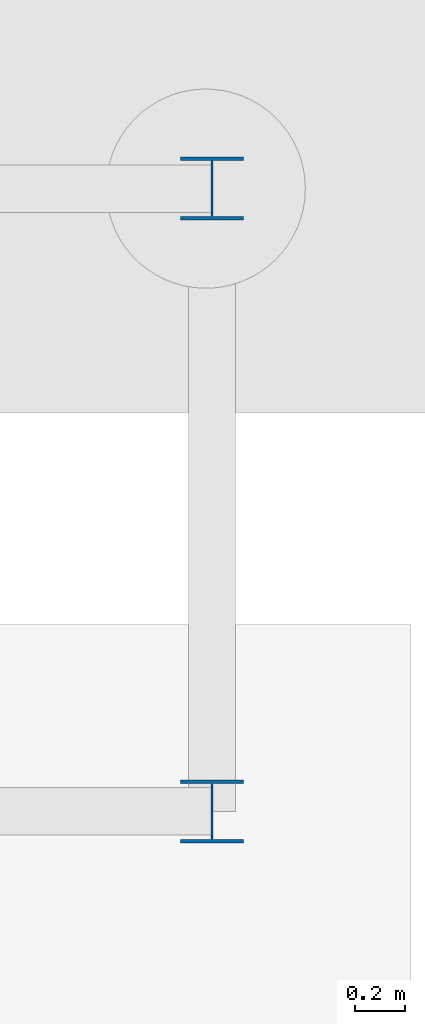
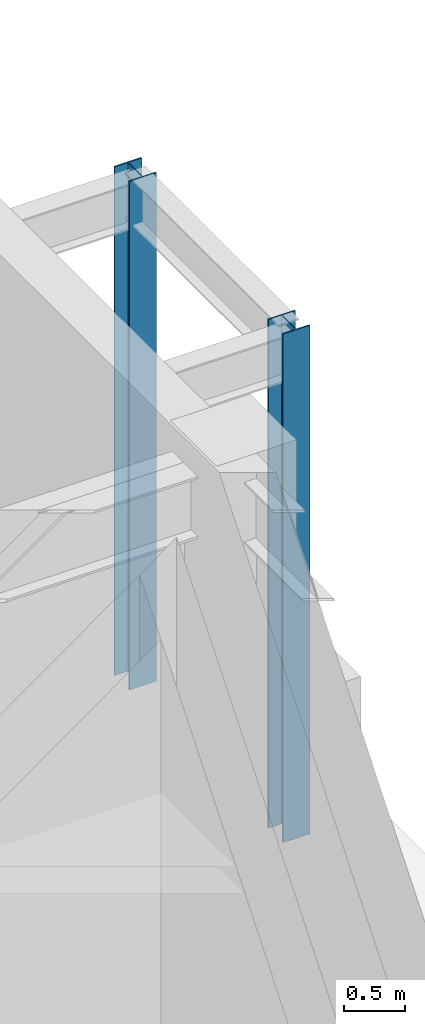
# One storey, part 33 of 55: 2 columns.
"""IFC4 building model written with IfcOpenShell, lengths in metres."""

from ifc_helpers import new_model, si_unit, direction, frame, origin, origin_2d, place, context, subcontext, project, spatial, i_section, extrude, material, material_profile, profile_set, type_object, element, save


model = new_model("IFC4")

# Units and contexts
model_context = context("Model", 3, precision=1e-05, world=origin(), true_north=direction((0.0, 1.0)))
body_context = subcontext(model_context, "Body", "Model", "MODEL_VIEW")
ifc_project = project(units=[si_unit("LENGTHUNIT", "METRE"), si_unit("AREAUNIT", "SQUARE_METRE"), si_unit("VOLUMEUNIT", "CUBIC_METRE"), si_unit("PLANEANGLEUNIT", "RADIAN"), si_unit("MASSUNIT", "GRAM", prefix="KILO")], contexts=[model_context])

# Site, building, storey
site_placement = place(None, origin())
site = spatial("IfcSite", under=ifc_project, at=site_placement, CompositionType="ELEMENT")
building_placement = place(site_placement, origin())
building = spatial("IfcBuilding", under=site, at=building_placement, Name="Almandine Court Research Institute", CompositionType="ELEMENT")
storey_placement = place(building_placement, frame((0.0, 0.0, -5.25)))
storey = spatial("IfcBuildingStorey", under=building, at=storey_placement, Name="B1", CompositionType="ELEMENT", Elevation=-5.25)

# Columns
ifc_material = material(Name="Steel ASTM A992 Grade 50", Category="steel")
ifc_material_profile = material_profile(ifc_material, i_section(OverallWidth=0.25390625, OverallDepth=0.2529296875, WebThickness=0.009033203125, FlangeThickness=0.013916015625, at=origin_2d()), Name="W250x73")
ifc_profile_set = profile_set([ifc_material_profile], Name="Steel ASTM A992 Grade 50")
column_type = type_object("IfcColumnType", Name="Col-C-W10", PredefinedType="COLUMN", material=ifc_profile_set)
for number, where, z_axis, x_axis, name in (
    (1, (175.300048828125, 58.949951171875, 0.0), (0.0, 0.0, 1.0), (1.0, 0.0, 0.0), "B1 Exterior Threshold Support Column PAD-V4-E6-C1"),
    (2, (175.300048828125, 61.449951171875, 0.0), (0.0, 0.0, 1.0), (1.0, 0.0, 0.0), "B1 Exterior Threshold Support Column PAD-V4-E6-C2"),
):
    element("IfcColumn", number, at=place(storey_placement, frame(where, z_axis=z_axis, x_axis=x_axis)), inside=storey, type_object=column_type, Name=name, PredefinedType="COLUMN", context=body_context, shape_type="SweptSolid", body=[
        extrude(i_section(OverallWidth=0.25390625, OverallDepth=0.2529296875, WebThickness=0.009033203125, FlangeThickness=0.013916015625, at=origin_2d()), origin(), (0.0, 0.0, 1.0), 5.050048828125),
    ])

save(model, "model.ifc")
